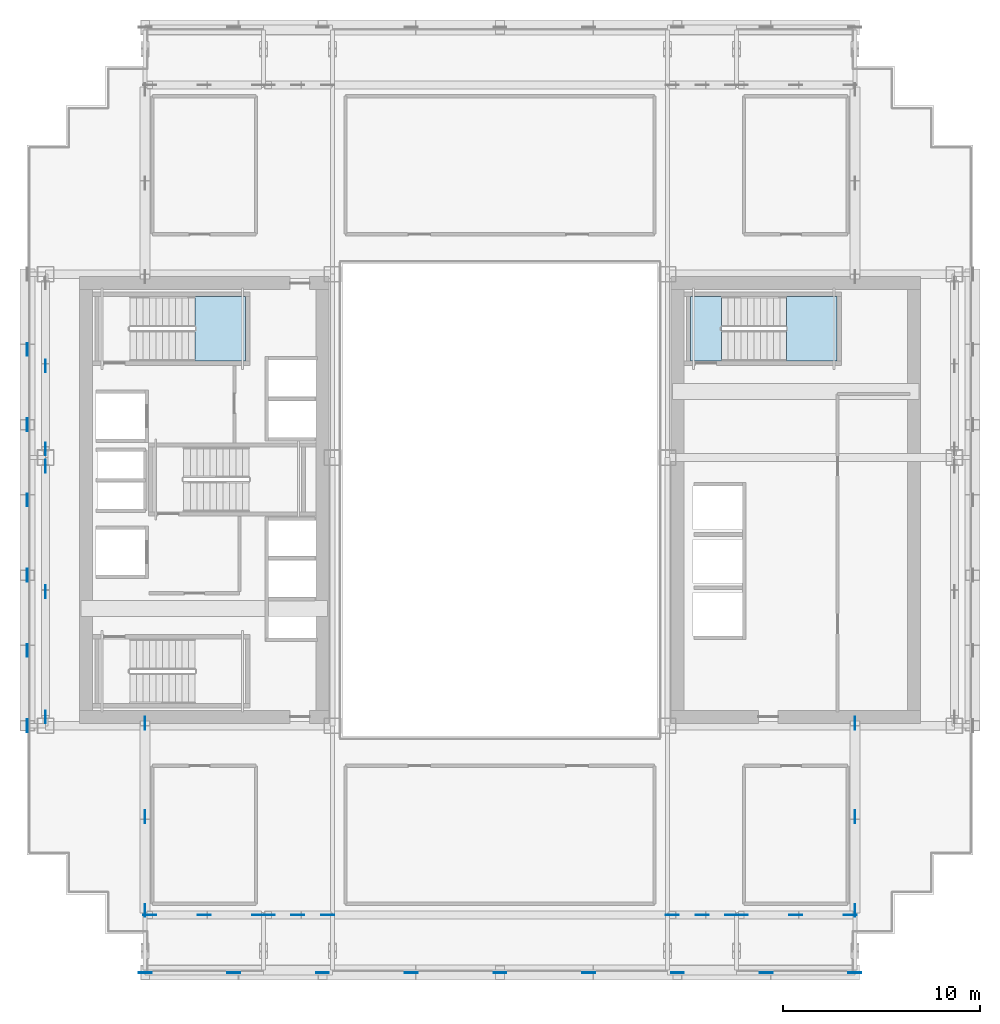
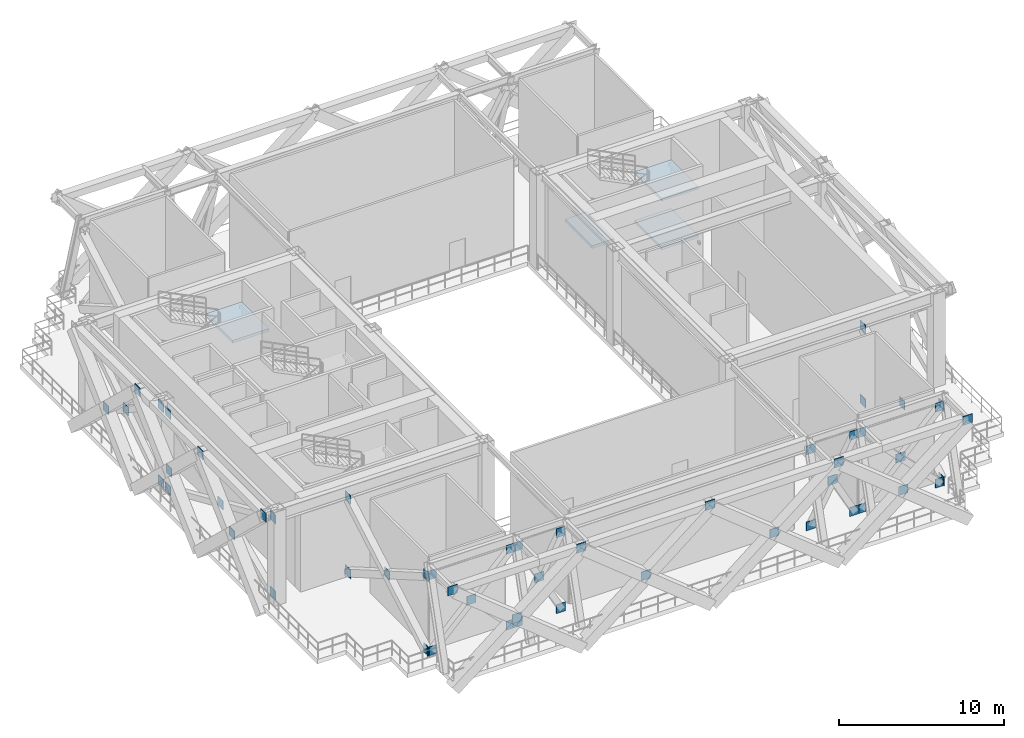
# One storey, part 4 of 14: 53 plates, 4 slabs, 2 elements without a shape of their own.
"""IFC4 building model written with IfcOpenShell, lengths in metres."""

import ifcopenshell
import ifcopenshell.guid

model = None  # the IFC model being written
_history = None  # IfcOwnerHistory: only IFC2X3 demands one
_inside = {}  # id of a spatial element -> (the spatial element, [elements in it])
_under = {}  # id of a project, library or spatial element -> (it, [spatial elements below it])
_declared = {}  # id of a project -> (the project, [libraries it declares])
_typed = {}  # id of a type object -> (the type object, [elements of that type])
_made_of = {}  # id of a material, layer set ... -> (it, [elements and type objects made of it])


def new_model(schema):
    """Start an empty IFC model of exactly this schema.

    Asked for "IFC4X3", IfcOpenShell would pick the latest addendum, in which some entities
    have other attributes; the version numbers below select the first issue.
    IFC2X3 requires an IfcOwnerHistory on every rooted entity: one is made here for all.
    """
    global model, _history
    if schema == "IFC4X3":
        model = ifcopenshell.file(schema_version=(4, 3, 0, 0))
    else:
        model = ifcopenshell.file(schema=schema)
    _inside.clear()
    _under.clear()
    _declared.clear()
    _typed.clear()
    _made_of.clear()
    _history = None
    if model.schema == "IFC2X3":
        org = make("IfcOrganization", Name="unknown")
        user = make(
            "IfcPersonAndOrganization",
            ThePerson=make("IfcPerson", FamilyName="unknown"),
            TheOrganization=org,
        )
        app = make(
            "IfcApplication",
            ApplicationDeveloper=org,
            Version="unknown",
            ApplicationFullName="unknown",
            ApplicationIdentifier="unknown",
        )
        _history = make(
            "IfcOwnerHistory",
            OwningUser=user,
            OwningApplication=app,
            ChangeAction="ADDED",
            CreationDate=0,
        )
    return model


def make(cls, **values):
    """One entity of the class cls with the attributes given. An attribute that is None is left unset."""
    return model.create_entity(
        cls, **{name: value for name, value in values.items() if value is not None}
    )


def rooted(cls, **values):
    """An entity with a GlobalId (a new one), such as an element, a storey or a relation."""
    return make(cls, GlobalId=ifcopenshell.guid.new(), OwnerHistory=_history, **values)


def si_unit(unit_type, name, prefix=None):
    """IfcSIUnit, for example si_unit("LENGTHUNIT", "METRE", prefix="MILLI")."""
    return make("IfcSIUnit", UnitType=unit_type, Prefix=prefix, Name=name)


def assignment(units):
    """IfcUnitAssignment: the units of a project."""
    return None if units is None else make("IfcUnitAssignment", Units=units)


def point(xyz):
    """IfcCartesianPoint."""
    return None if xyz is None else make("IfcCartesianPoint", Coordinates=xyz)


def direction(xyz):
    """IfcDirection."""
    return None if xyz is None else make("IfcDirection", DirectionRatios=xyz)


def frame(location, z_axis=None, x_axis=None):
    """IfcAxis2Placement3D, a coordinate frame: its origin and axes. An axis left out is left unset."""
    return make(
        "IfcAxis2Placement3D",
        Location=point(location),
        Axis=direction(z_axis),
        RefDirection=direction(x_axis),
    )


def frame_2d(location, x_axis=None):
    """IfcAxis2Placement2D, a coordinate frame in the plane: its origin and x axis."""
    return make(
        "IfcAxis2Placement2D", Location=point(location), RefDirection=direction(x_axis)
    )


def origin():
    """The frame at (0, 0, 0) with its axes left unset."""
    return frame((0.0, 0.0, 0.0))


def origin_2d():
    """The frame at (0, 0) in the plane with its x axis left unset."""
    return frame_2d((0.0, 0.0))


def place(relative_to, where):
    """IfcLocalPlacement: puts the frame where relative to a parent placement (None: the world)."""
    return make(
        "IfcLocalPlacement", PlacementRelTo=relative_to, RelativePlacement=where
    )


def context(
    kind, dimensions, precision=None, world=None, true_north=None, identifier=None
):
    """IfcGeometricRepresentationContext, for example the 3D "Model" context."""
    return make(
        "IfcGeometricRepresentationContext",
        ContextIdentifier=identifier,
        ContextType=kind,
        CoordinateSpaceDimension=dimensions,
        Precision=precision,
        WorldCoordinateSystem=world,
        TrueNorth=true_north,
    )


def subcontext(parent, identifier, kind, view, scale=None):
    """IfcGeometricRepresentationSubContext, for example "Body" below "Model"."""
    return make(
        "IfcGeometricRepresentationSubContext",
        ContextIdentifier=identifier,
        ContextType=kind,
        ParentContext=parent,
        TargetScale=scale,
        TargetView=view,
    )


def project(units=None, contexts=None):
    """IfcProject with its units and contexts."""
    return rooted(
        "IfcProject",
        Name="project",
        RepresentationContexts=contexts,
        UnitsInContext=assignment(units),
    )


def spatial(cls, under=None, at=None, **own):
    """A site, building, storey or space (cls), placed at a placement, below another one or the project."""
    s = rooted(cls, ObjectPlacement=at, **own)
    if under is not None:
        _under.setdefault(under.id(), (under, []))[1].append(s)
    return s


def polyline(points):
    """IfcPolyline through the points."""
    return make("IfcPolyline", Points=[point(p) for p in points])


def profile(cls, at=None, kind="AREA", **sizes):
    """A parametric profile (cls). Its sizes go by their IFC names, for example OverallWidth=200.0."""
    return make(cls, ProfileType=kind, Position=at, **sizes)


def rectangle(**sizes):
    """IfcRectangleProfileDef."""
    return profile("IfcRectangleProfileDef", **sizes)


def outline(outer, holes=None, kind="AREA"):
    """IfcArbitraryClosedProfileDef: a profile drawn as a closed curve; with holes, ...WithVoids."""
    if holes is None:
        return make("IfcArbitraryClosedProfileDef", ProfileType=kind, OuterCurve=outer)
    return make(
        "IfcArbitraryProfileDefWithVoids",
        ProfileType=kind,
        OuterCurve=outer,
        InnerCurves=holes,
    )


def extrude(swept, where, along, depth):
    """IfcExtrudedAreaSolid: the profile swept, set in the frame where, extruded along a direction by depth."""
    return make(
        "IfcExtrudedAreaSolid",
        SweptArea=swept,
        Position=where,
        ExtrudedDirection=direction(along),
        Depth=depth,
    )


def shape(context_of_items, identifier, shape_type, items):
    """IfcShapeRepresentation: the items that make up one representation, for example the "Body"."""
    return make(
        "IfcShapeRepresentation",
        ContextOfItems=context_of_items,
        RepresentationIdentifier=identifier,
        RepresentationType=shape_type,
        Items=items,
    )


def source(mapping_origin, context_of_items, identifier, shape_type, items):
    """IfcRepresentationMap: a shape defined once, which mapped items show again and again."""
    return make(
        "IfcRepresentationMap",
        MappingOrigin=mapping_origin,
        MappedRepresentation=shape(context_of_items, identifier, shape_type, items),
    )


def transform(
    local_origin,
    x_axis=None,
    y_axis=None,
    z_axis=None,
    scale=None,
    scale2=None,
    scale3=None,
    uniform=True,
):
    """IfcCartesianTransformationOperator3D, or its non-uniform kind. x_axis, y_axis, z_axis: its Axis1, 2, 3."""
    if uniform:
        return make(
            "IfcCartesianTransformationOperator3D",
            Axis1=direction(x_axis),
            Axis2=direction(y_axis),
            LocalOrigin=point(local_origin),
            Scale=scale,
            Axis3=direction(z_axis),
        )
    return make(
        "IfcCartesianTransformationOperator3DnonUniform",
        Axis1=direction(x_axis),
        Axis2=direction(y_axis),
        LocalOrigin=point(local_origin),
        Scale=scale,
        Axis3=direction(z_axis),
        Scale2=scale2,
        Scale3=scale3,
    )


def mapped(mapping_source, mapping_target):
    """IfcMappedItem: shows the shape of a source again, moved by a transform."""
    return make(
        "IfcMappedItem", MappingSource=mapping_source, MappingTarget=mapping_target
    )


def material(Name=None, Category=None):
    """IfcMaterial."""
    return make("IfcMaterial", Name=Name, Category=Category)


def layer(
    of_material, thickness, ventilated=None, Name=None, Category=None, Priority=None
):
    """IfcMaterialLayer: one layer of a wall or slab, of a material (None: an air gap)."""
    return make(
        "IfcMaterialLayer",
        Material=of_material,
        LayerThickness=thickness,
        IsVentilated=ventilated,
        Name=Name,
        Category=Category,
        Priority=Priority,
    )


def layer_set(layers, Name=None):
    """IfcMaterialLayerSet."""
    return make("IfcMaterialLayerSet", MaterialLayers=layers, LayerSetName=Name)


def made_of(thing, what):
    """Note that an element or type object is made of a material, layer set ...; save() writes the relation."""
    if what is not None:
        _made_of.setdefault(what.id(), (what, []))[1].append(thing)
    return thing


def type_object(cls, material=None, **own):
    """A type object (cls), such as IfcWallType, which elements share."""
    return made_of(rooted(cls, **own), material)


def element(
    cls,
    number,
    at=None,
    inside=None,
    cuts=None,
    type_object=None,
    material=None,
    context=None,
    identifier="Body",
    shape_type=None,
    held_by="IfcProductDefinitionShape",
    body=None,
    shapes=None,
    **own,
):
    """One element of the class cls, such as IfcWall. Its Tag is "e" and its number.

    at: its placement. inside: the storey or other place that contains it. cuts: it is an
    opening in that element (IfcRelVoidsElement). A single representation is given by context,
    identifier, shape_type and body (its items); several are given by shapes. held_by: the class
    of the entity that holds the representations. save() writes the other relations.
    """
    e = rooted(cls, Tag="e%d" % number, ObjectPlacement=at, **own)
    if body is not None:
        shapes = [shape(context, identifier, shape_type, body)]
    if shapes is not None:
        e.Representation = make(held_by, Representations=shapes)
    if inside is not None:
        _inside.setdefault(inside.id(), (inside, []))[1].append(e)
    if cuts is not None:
        rooted(
            "IfcRelVoidsElement", RelatingBuildingElement=cuts, RelatedOpeningElement=e
        )
    if type_object is not None:
        _typed.setdefault(type_object.id(), (type_object, []))[1].append(e)
    return made_of(e, material)


def aggregate(whole, parts):
    """IfcRelAggregates: a whole, such as a stair, and the parts it consists of."""
    return rooted("IfcRelAggregates", RelatingObject=whole, RelatedObjects=parts)


def save(model, path):
    """Write the relations noted so far, then the file.

    IfcRelAggregates (storeys below a building ...), IfcRelContainedInSpatialStructure (elements
    in a storey), IfcRelDefinesByType, IfcRelAssociatesMaterial and IfcRelDeclares: one each for
    every whole, place, type object, material and project.
    """
    for whole, parts in _under.values():
        aggregate(whole, parts)
    for where, things in _inside.values():
        rooted(
            "IfcRelContainedInSpatialStructure",
            RelatedElements=things,
            RelatingStructure=where,
        )
    for kind, things in _typed.values():
        rooted("IfcRelDefinesByType", RelatedObjects=things, RelatingType=kind)
    for what, things in _made_of.values():
        rooted("IfcRelAssociatesMaterial", RelatedObjects=things, RelatingMaterial=what)
    for by, libraries in _declared.values():
        rooted("IfcRelDeclares", RelatingContext=by, RelatedDefinitions=libraries)
    model.write(path)


model = new_model("IFC4")

# Units and contexts
model_context = context("Model", 3, precision=1e-05, world=origin(), true_north=direction((0.0, 1.0)))
body_context = subcontext(model_context, "Body", "Model", "MODEL_VIEW")
ifc_project = project(units=[si_unit("LENGTHUNIT", "METRE"), si_unit("AREAUNIT", "SQUARE_METRE"), si_unit("VOLUMEUNIT", "CUBIC_METRE"), si_unit("PLANEANGLEUNIT", "RADIAN"), si_unit("MASSUNIT", "GRAM", prefix="KILO")], contexts=[model_context])

# Site, building, storey
site_placement = place(None, origin())
site = spatial("IfcSite", under=ifc_project, at=site_placement, CompositionType="ELEMENT")
building_placement = place(site_placement, origin())
building = spatial("IfcBuilding", under=site, at=building_placement, Name="Ocotamira Hotel", CompositionType="ELEMENT")
storey_placement = place(building_placement, frame((0.0, 0.0, 151.199951171875)))
storey = spatial("IfcBuildingStorey", under=building, at=storey_placement, Name="L38", CompositionType="ELEMENT", Elevation=151.199951171875)

# Stair, slab
ifc_material_1 = material(Name="Concrete C40/50", Category="concrete")
stair_type = type_object("IfcStairType", Name="ST-CORE-1560", PredefinedType="HALF_TURN_STAIR", material=ifc_material_1)
stair_1_placement = place(storey_placement, origin())
stair_1 = element("IfcStair", 1, at=stair_1_placement, inside=storey, type_object=stair_type, Name="L38 Exit Stair ST-2", PredefinedType="HALF_TURN_STAIR")
ifc_layer_1 = layer(ifc_material_1, 0.199951171875)
ifc_layer_set_1 = layer_set([ifc_layer_1], Name="Concrete C40/50")
slab_type = type_object("IfcSlabType", Name="SLB-LAND-200", PredefinedType="LANDING", material=ifc_layer_set_1)
slab_1_placement = place(storey_placement, frame((0.0, 0.0, 5.199951171875)))
slab_1 = element("IfcSlab", 2, at=slab_1_placement, type_object=slab_type, Name="ST-2 landing 3", PredefinedType="LANDING", context=body_context, shape_type="SweptSolid", body=[
    extrude(outline(polyline([(16.530029296875, 33.050048828125), (19.090087890625, 33.050048828125), (19.090087890625, 36.330078125), (16.530029296875, 36.330078125), (16.530029296875, 33.050048828125)])), origin(), (0.0, 0.0, 1.0), 0.2001953125),
])
aggregate(stair_1, [slab_1])

# Stair, slabs
stair_2_placement = place(storey_placement, origin())
stair_2 = element("IfcStair", 3, at=stair_2_placement, inside=storey, type_object=stair_type, Name="L38 Exit Stair ST-4", PredefinedType="HALF_TURN_STAIR")
slab_2_placement = place(storey_placement, frame((0.0, 0.0, 1.60009765625)))
slab_2 = element("IfcSlab", 4, at=slab_2_placement, type_object=slab_type, Name="ST-4 landing 1", PredefinedType="LANDING", context=body_context, shape_type="SweptSolid", body=[
    extrude(outline(polyline([(46.530029296875, 33.050048828125), (49.090087890625, 33.050048828125), (49.090087890625, 36.330078125), (46.530029296875, 36.330078125), (46.530029296875, 33.050048828125)])), origin(), (0.0, 0.0, 1.0), 0.199951171875),
])
slab_3_placement = place(storey_placement, frame((0.0, 0.0, 3.400146484375)))
slab_3 = element("IfcSlab", 5, at=slab_3_placement, type_object=slab_type, Name="ST-4 landing 2", PredefinedType="LANDING", context=body_context, shape_type="SweptSolid", body=[
    extrude(outline(polyline([(41.669921875, 33.050048828125), (43.22998046875, 33.050048828125), (43.22998046875, 36.330078125), (41.669921875, 36.330078125), (41.669921875, 33.050048828125)])), origin(), (0.0, 0.0, 1.0), 0.199951171875),
])
slab_4_placement = place(storey_placement, frame((0.0, 0.0, 5.199951171875)))
slab_4 = element("IfcSlab", 6, at=slab_4_placement, type_object=slab_type, Name="ST-4 landing 3", PredefinedType="LANDING", context=body_context, shape_type="SweptSolid", body=[
    extrude(outline(polyline([(46.530029296875, 33.050048828125), (49.090087890625, 33.050048828125), (49.090087890625, 36.330078125), (46.530029296875, 36.330078125), (46.530029296875, 33.050048828125)])), origin(), (0.0, 0.0, 1.0), 0.2001953125),
])
aggregate(stair_2, [slab_2, slab_3, slab_4])

# Plates
ifc_material_2 = material(Name="Pale-metal coated steel ASTM A572 Grade 50", Category="steel")
ifc_layer_2 = layer(ifc_material_2, 0.0400390625)
ifc_layer_set_2 = layer_set([ifc_layer_2], Name="Pale-metal coated steel ASTM A572 Grade 50")
plate_type = type_object("IfcPlateType", Name="PLT-GUSSET-40", PredefinedType="SHEET", material=ifc_layer_set_2)
shared_shape_1 = source(origin(), body_context, "Body", "SweptSolid", [
    extrude(rectangle(XDim=0.64990234375, YDim=0.0400390625, at=origin_2d()), origin(), (0.0, 0.0, 1.0), 0.64990234375),
])
for number, where, z_axis, x_axis, name in (
    (7, (14.239990234375, 4.949951171875, 0.025146484375), (0.0, 0.0, 1.0), (1.0, 0.0, 0.0), "L38 Belt Truss Diagonal 14,4.95 A End Gusset A"),
    (8, (19.760009765625, 4.949951171875, 5.635009765625), (0.0, 0.0, 1.0), (1.0, 0.0, 0.0), "L38 Belt Truss Diagonal 14,4.95 A End Gusset B"),
    (9, (17.0, 4.949951171875, 2.830078125), (0.0, 0.0, 1.0), (1.0, 0.0, 0.0), "L38 Belt Truss Diagonal 14,4.95 B Crossing Gusset Plate"),
    (10, (14.239990234375, 4.949951171875, 5.635009765625), (0.0, 0.0, 1.0), (1.0, 0.0, 0.0), "L38 Belt Truss Diagonal 14,4.95 B End Gusset A"),
    (11, (19.760009765625, 4.949951171875, 0.025146484375), (0.0, 0.0, 1.0), (1.0, 0.0, 0.0), "L38 Belt Truss Diagonal 14,4.95 B End Gusset B"),
    (12, (20.239990234375, 4.949951171875, 0.025146484375), (0.0, 0.0, 1.0), (1.0, 0.0, 0.0), "L38 Belt Truss Diagonal 20,4.95 A End Gusset A"),
    (13, (23.260009765625, 4.949951171875, 5.635009765625), (0.0, 0.0, 1.0), (1.0, 0.0, 0.0), "L38 Belt Truss Diagonal 20,4.95 A End Gusset B"),
    (14, (21.75, 4.949951171875, 2.830078125), (0.0, 0.0, 1.0), (1.0, 0.0, 0.0), "L38 Belt Truss Diagonal 20,4.95 B Crossing Gusset Plate"),
    (15, (20.239990234375, 4.949951171875, 5.635009765625), (0.0, 0.0, 1.0), (1.0, 0.0, 0.0), "L38 Belt Truss Diagonal 20,4.95 B End Gusset A"),
    (16, (23.260009765625, 4.949951171875, 0.025146484375), (0.0, 0.0, 1.0), (1.0, 0.0, 0.0), "L38 Belt Truss Diagonal 20,4.95 B End Gusset B"),
    (17, (40.739990234375, 4.949951171875, 0.025146484375), (0.0, 0.0, 1.0), (1.0, 0.0, 0.0), "L38 Belt Truss Diagonal 40.5,4.95 A End Gusset A"),
    (18, (43.760009765625, 4.949951171875, 5.635009765625), (0.0, 0.0, 1.0), (1.0, 0.0, 0.0), "L38 Belt Truss Diagonal 40.5,4.95 A End Gusset B"),
    (19, (42.25, 4.949951171875, 2.830078125), (0.0, 0.0, 1.0), (1.0, 0.0, 0.0), "L38 Belt Truss Diagonal 40.5,4.95 B Crossing Gusset Plate"),
    (20, (40.739990234375, 4.949951171875, 5.635009765625), (0.0, 0.0, 1.0), (1.0, 0.0, 0.0), "L38 Belt Truss Diagonal 40.5,4.95 B End Gusset A"),
    (21, (43.760009765625, 4.949951171875, 0.025146484375), (0.0, 0.0, 1.0), (1.0, 0.0, 0.0), "L38 Belt Truss Diagonal 40.5,4.95 B End Gusset B"),
    (22, (44.239990234375, 4.949951171875, 0.025146484375), (0.0, 0.0, 1.0), (1.0, 0.0, 0.0), "L38 Belt Truss Diagonal 44,4.95 A End Gusset A"),
    (23, (49.760009765625, 4.949951171875, 5.635009765625), (0.0, 0.0, 1.0), (1.0, 0.0, 0.0), "L38 Belt Truss Diagonal 44,4.95 A End Gusset B"),
    (24, (47.0, 4.949951171875, 2.830078125), (0.0, 0.0, 1.0), (1.0, 0.0, 0.0), "L38 Belt Truss Diagonal 44,4.95 B Crossing Gusset Plate"),
    (25, (44.239990234375, 4.949951171875, 5.635009765625), (0.0, 0.0, 1.0), (1.0, 0.0, 0.0), "L38 Belt Truss Diagonal 44,4.95 B End Gusset A"),
    (26, (49.760009765625, 4.949951171875, 0.025146484375), (0.0, 0.0, 1.0), (1.0, 0.0, 0.0), "L38 Belt Truss Diagonal 44,4.95 B End Gusset B"),
    (27, (23.0, 2.030029296875, 6.34521484375), (0.0, 0.0, 1.0), (1.0, 0.0, 0.0), "L38 Exoskeleton Diagrid S0.1 End Gusset B"),
    (28, (18.5, 2.030029296875, 2.72509765625), (0.0, 0.0, 1.0), (-1.0, 0.0, 0.0), "L38 Exoskeleton Diagrid S0.2 Crossing Gusset Plate"),
    (29, (14.0, 2.030029296875, 6.34521484375), (0.0, 0.0, 1.0), (-1.0, 0.0, 0.0), "L38 Exoskeleton Diagrid S0.2 End Gusset B"),
    (30, (32.0, 2.030029296875, 6.34521484375), (0.0, 0.0, 1.0), (1.0, 0.0, 0.0), "L38 Exoskeleton Diagrid S1.1 End Gusset B"),
    (31, (27.5, 2.030029296875, 2.72509765625), (0.0, 0.0, 1.0), (-1.0, 0.0, 0.0), "L38 Exoskeleton Diagrid S1.2 Crossing Gusset Plate"),
    (32, (41.0, 2.030029296875, 6.34521484375), (0.0, 0.0, 1.0), (1.0, 0.0, 0.0), "L38 Exoskeleton Diagrid S2.1 End Gusset B"),
    (33, (36.5, 2.030029296875, 2.72509765625), (0.0, 0.0, 1.0), (-1.0, 0.0, 0.0), "L38 Exoskeleton Diagrid S2.2 Crossing Gusset Plate"),
    (34, (50.0, 2.030029296875, 6.34521484375), (0.0, 0.0, 1.0), (1.0, 0.0, 0.0), "L38 Exoskeleton Diagrid S3.1 End Gusset B"),
    (35, (45.5, 2.030029296875, 2.72509765625), (0.0, 0.0, 1.0), (-1.0, 0.0, 0.0), "L38 Exoskeleton Diagrid S3.2 Crossing Gusset Plate"),
):
    element("IfcPlate", number, at=place(storey_placement, frame(where, z_axis=z_axis, x_axis=x_axis)), inside=storey, type_object=plate_type, Name=name, PredefinedType="SHEET", context=body_context, shape_type="MappedRepresentation", body=[
        mapped(shared_shape_1, transform((0.0, 0.0, 0.0), scale=1.0)),
    ])
shared_shape_2 = source(origin(), body_context, "Body", "SweptSolid", [
    extrude(rectangle(XDim=0.0400390625, YDim=0.64990234375, at=origin_2d()), origin(), (0.0, 0.0, 1.0), 0.64990234375),
])
for number, where, z_axis, x_axis, name in (
    (36, (14.0, 14.675048828125, 0.025146484375), (0.0, 0.0, 1.0), (1.0, 0.0, 0.0), "L38 Outrigger Truss S X14 A End Gusset A"),
    (37, (14.0, 5.179931640625, 5.51513671875), (0.0, 0.0, 1.0), (1.0, 0.0, 0.0), "L38 Outrigger Truss S X14 A End Gusset B"),
    (38, (14.0, 9.927490234375, 2.77001953125), (0.0, 0.0, 1.0), (1.0, 0.0, 0.0), "L38 Outrigger Truss S X14 B Crossing Gusset Plate"),
    (39, (14.0, 14.675048828125, 5.51513671875), (0.0, 0.0, 1.0), (1.0, 0.0, 0.0), "L38 Outrigger Truss S X14 B End Gusset A"),
    (40, (14.0, 5.179931640625, 0.025146484375), (0.0, 0.0, 1.0), (1.0, 0.0, 0.0), "L38 Outrigger Truss S X14 B End Gusset B"),
    (41, (50.0, 14.675048828125, 0.025146484375), (0.0, 0.0, 1.0), (1.0, 0.0, 0.0), "L38 Outrigger Truss S X50 A End Gusset A"),
    (42, (50.0, 5.179931640625, 5.51513671875), (0.0, 0.0, 1.0), (1.0, 0.0, 0.0), "L38 Outrigger Truss S X50 A End Gusset B"),
    (43, (50.0, 9.927490234375, 2.77001953125), (0.0, 0.0, 1.0), (1.0, 0.0, 0.0), "L38 Outrigger Truss S X50 B Crossing Gusset Plate"),
    (44, (50.0, 14.675048828125, 5.51513671875), (0.0, 0.0, 1.0), (1.0, 0.0, 0.0), "L38 Outrigger Truss S X50 B End Gusset A"),
    (45, (50.0, 5.179931640625, 0.025146484375), (0.0, 0.0, 1.0), (1.0, 0.0, 0.0), "L38 Outrigger Truss S X50 B End Gusset B"),
    (46, (8.949951171875, 14.989990234375, 0.025146484375), (0.0, 0.0, 1.0), (1.0, 0.0, 0.0), "L38 Belt Truss Diagonal 8.95,14.55 A End Gusset A"),
    (47, (8.949951171875, 27.7099609375, 5.635009765625), (0.0, 0.0, 1.0), (1.0, 0.0, 0.0), "L38 Belt Truss Diagonal 8.95,14.55 A End Gusset B"),
    (48, (8.949951171875, 21.35009765625, 2.830078125), (0.0, 0.0, 1.0), (1.0, 0.0, 0.0), "L38 Belt Truss Diagonal 8.95,14.55 B Crossing Gusset Plate"),
    (49, (8.949951171875, 14.989990234375, 5.635009765625), (0.0, 0.0, 1.0), (1.0, 0.0, 0.0), "L38 Belt Truss Diagonal 8.95,14.55 B End Gusset A"),
    (50, (8.949951171875, 27.7099609375, 0.025146484375), (0.0, 0.0, 1.0), (1.0, 0.0, 0.0), "L38 Belt Truss Diagonal 8.95,14.55 B End Gusset B"),
    (51, (8.949951171875, 28.590087890625, 0.025146484375), (0.0, 0.0, 1.0), (1.0, 0.0, 0.0), "L38 Belt Truss Diagonal 8.95,28.15 A End Gusset A"),
    (52, (8.949951171875, 32.800048828125, 2.830078125), (0.0, 0.0, 1.0), (1.0, 0.0, 0.0), "L38 Belt Truss Diagonal 8.95,28.15 B Crossing Gusset Plate"),
    (53, (8.949951171875, 28.590087890625, 5.635009765625), (0.0, 0.0, 1.0), (1.0, 0.0, 0.0), "L38 Belt Truss Diagonal 8.95,28.15 B End Gusset A"),
    (54, (8.030029296875, 22.183349609375, 6.34521484375), (0.0, 0.0, 1.0), (1.0, 0.0, 0.0), "L38 Exoskeleton Diagrid W0.1 End Gusset B"),
    (55, (8.030029296875, 18.36669921875, 2.72509765625), (0.0, 0.0, 1.0), (1.0, 0.0, 0.0), "L38 Exoskeleton Diagrid W0.2 Crossing Gusset Plate"),
    (56, (8.030029296875, 14.550048828125, 6.34521484375), (0.0, 0.0, 1.0), (1.0, 0.0, 0.0), "L38 Exoskeleton Diagrid W0.2 End Gusset B"),
    (57, (8.030029296875, 29.816650390625, 6.34521484375), (0.0, 0.0, 1.0), (1.0, 0.0, 0.0), "L38 Exoskeleton Diagrid W1.1 End Gusset B"),
    (58, (8.030029296875, 26.0, 2.72509765625), (0.0, 0.0, 1.0), (1.0, 0.0, 0.0), "L38 Exoskeleton Diagrid W1.2 Crossing Gusset Plate"),
    (59, (8.030029296875, 33.63330078125, 2.72509765625), (0.0, 0.0, 1.0), (1.0, 0.0, 0.0), "L38 Exoskeleton Diagrid W2.2 Crossing Gusset Plate"),
):
    element("IfcPlate", number, at=place(storey_placement, frame(where, z_axis=z_axis, x_axis=x_axis)), inside=storey, type_object=plate_type, Name=name, PredefinedType="SHEET", context=body_context, shape_type="MappedRepresentation", body=[
        mapped(shared_shape_2, transform((0.0, 0.0, 0.0), scale=1.0)),
    ])

save(model, "model.ifc")
